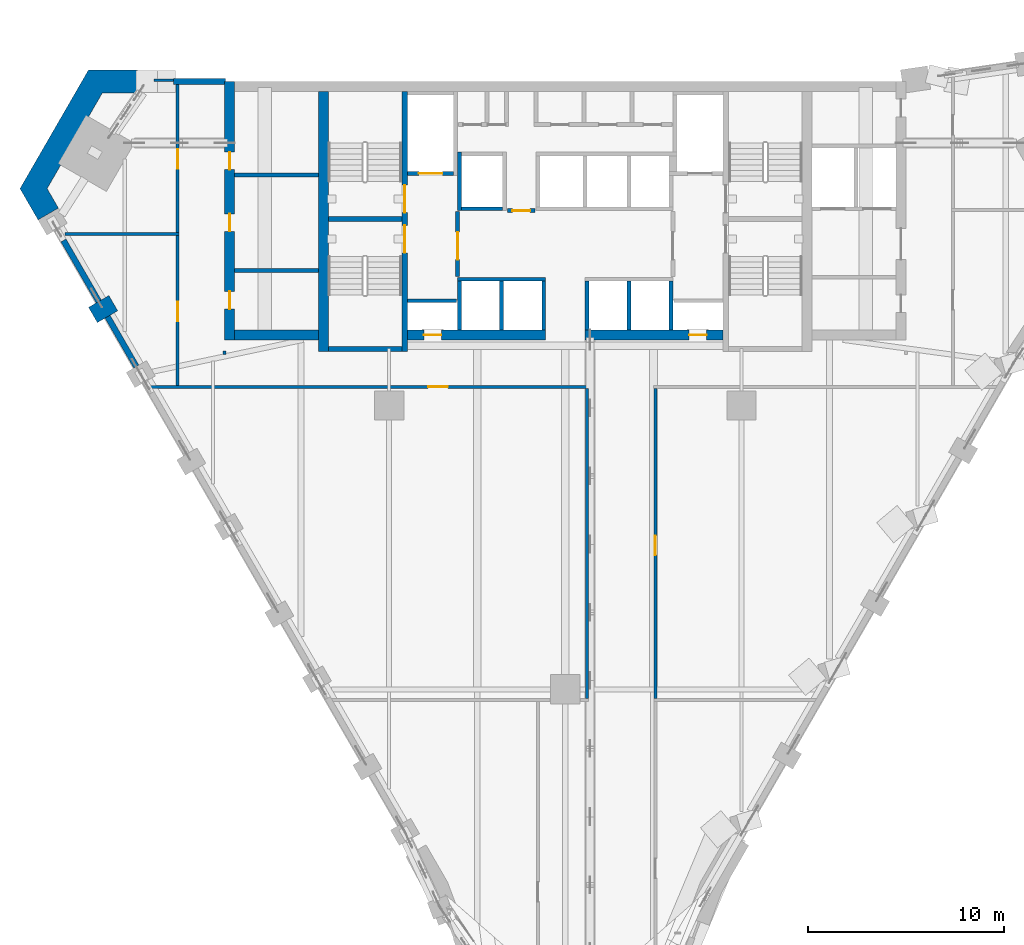
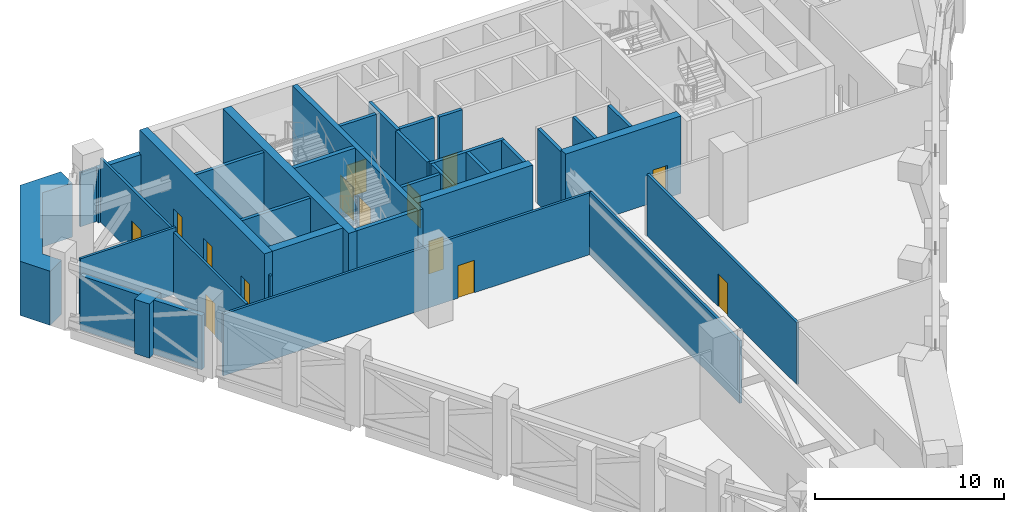
# One storey, part 9 of 20: 36 walls, 14 doors, 14 openings.
"""IFC4 building model written with IfcOpenShell, lengths in metres."""

from ifc_helpers import new_model, si_unit, direction, frame, frame_2d, origin, place, context, subcontext, project, spatial, polyline, rectangle, outline, extrude, material, layer, layer_set, type_object, element, fill, save


model = new_model("IFC4")

# Units and contexts
model_context = context("Model", 3, precision=1e-05, world=origin(), true_north=direction((0.0, 1.0)))
body_context = subcontext(model_context, "Body", "Model", "MODEL_VIEW")
ifc_project = project(units=[si_unit("LENGTHUNIT", "METRE"), si_unit("AREAUNIT", "SQUARE_METRE"), si_unit("VOLUMEUNIT", "CUBIC_METRE"), si_unit("PLANEANGLEUNIT", "RADIAN"), si_unit("MASSUNIT", "GRAM", prefix="KILO")], contexts=[model_context])

# Site, building, storey
site_placement = place(None, origin())
site = spatial("IfcSite", under=ifc_project, at=site_placement, CompositionType="ELEMENT")
building_placement = place(site_placement, origin())
building = spatial("IfcBuilding", under=site, at=building_placement, Name="Calabash Gate Tower", CompositionType="ELEMENT")
storey_placement = place(building_placement, frame((0.0, 0.0, 139.60009765625)))
storey = spatial("IfcBuildingStorey", under=building, at=storey_placement, Name="L32", CompositionType="ELEMENT", Elevation=139.60009765625)

# Walls
ifc_material_1 = material(Name="Terracotta brick masonry, exposed face", Category="masonry")
ifc_layer_1 = layer(ifc_material_1, 1.199951171875)
ifc_layer_set_1 = layer_set([ifc_layer_1], Name="Brick end wall 1200")
wall_type_1 = type_object("IfcWallType", Name="Brick end wall 1200", PredefinedType="SOLIDWALL", material=ifc_layer_set_1)
wall_1_placement = place(storey_placement, frame((-24.12841796875, 7.126953125, 0.0), z_axis=(0.0, 0.0, 1.0), x_axis=(0.865955154139, 0.50012165622, 0.0)))
element("IfcWall", 1, at=wall_1_placement, inside=storey, type_object=wall_type_1, Name="Brick pier L32 SW0.1", PredefinedType="SOLIDWALL", context=body_context, shape_type="SweptSolid", body=[
    extrude(rectangle(XDim=1.199951171875, YDim=0.89990234375, at=frame_2d((0.60009765625, 0.0))), origin(), (0.0, 0.0, 1.0), 3.5),
])
wall_2_placement = place(storey_placement, origin())
element("IfcWall", 2, at=wall_2_placement, inside=storey, type_object=wall_type_1, Name="Brick end wall L32 7", PredefinedType="SOLIDWALL", context=body_context, shape_type="SweptSolid", body=[
    extrude(outline(polyline([(-21.846923828125, 18.45263671875), (-21.846923828125, 19.652587890625), (-24.350341796875, 19.652587890625), (-27.855224609375, 13.581787109375), (-26.9326171875, 11.983642578125), (-25.893310546875, 12.583740234375), (-25.564208984375, 12.013916015625), (-26.469482421875, 13.581787109375), (-23.657470703125, 18.45263671875), (-21.846923828125, 18.45263671875)])), origin(), (0.0, 0.0, 1.0), 3.5),
])
ifc_material_2 = material(Name="Gypsum board on steel studs, mineral wool", Category="steel")
ifc_layer_2 = layer(ifc_material_2, 0.199951171875)
ifc_layer_set_2 = layer_set([ifc_layer_2], Name="Core partition 200 gypsum board")
wall_type_2 = type_object("IfcWallType", Name="Core partition 200 gypsum board", PredefinedType="PARTITIONING", material=ifc_layer_set_2)
for number, where, z_axis, x_axis, name in (
    (3, (-16.89990234375, 9.402587890625, 0.0), (0.0, 0.0, 1.0), (1.0, 0.0, 0.0), "Core partition"),
    (4, (-16.89990234375, 14.28271484375, 0.0), (0.0, 0.0, 1.0), (1.0, 0.0, 0.0), "Core partition"),
):
    element("IfcWall", number, at=place(storey_placement, frame(where, z_axis=z_axis, x_axis=x_axis)), inside=storey, type_object=wall_type_2, Name=name, PredefinedType="PARTITIONING", context=body_context, shape_type="SweptSolid", body=[
        extrude(rectangle(XDim=4.2998046875, YDim=0.199951171875, at=frame_2d((2.14990234375, 0.0))), origin(), (0.0, 0.0, 1.0), 4.829833984375),
    ])
ifc_material_3 = material(Name="Concrete C80/95", Category="concrete")
ifc_layer_3 = layer(ifc_material_3, 0.25)
ifc_layer_set_3 = layer_set([ifc_layer_3], Name="Core wall 250 Concrete C80/95")
wall_type_3 = type_object("IfcWallType", Name="Core wall 250 Concrete C80/95", PredefinedType="SHEAR", material=ifc_layer_set_3)
for number, where, z_axis, x_axis, name in (
    (5, (-12.10009765625, 12.027587890625, 0.0), (0.0, 0.0, 1.0), (1.0, 0.0, 0.0), "Core wall Z2-MIDW L32"),
    (6, (-12.10009765625, 5.377685546875, 0.0), (0.0, 0.0, 1.0), (1.0, 0.0, 0.0), "Core wall Z2-SSW L32"),
):
    element("IfcWall", number, at=place(storey_placement, frame(where, z_axis=z_axis, x_axis=x_axis)), inside=storey, type_object=wall_type_3, Name=name, PredefinedType="SHEAR", context=body_context, shape_type="SweptSolid", body=[
        extrude(rectangle(XDim=3.75, YDim=0.25, at=frame_2d((1.875, 0.0))), origin(), (0.0, 0.0, 1.0), 5.0),
    ])

# Wall, openings, doors
ifc_material_4 = material(Name="Concrete C80/95", Category="concrete")
ifc_layer_4 = layer(ifc_material_4, 0.300048828125)
ifc_layer_set_4 = layer_set([ifc_layer_4], Name="Core wall 300 Concrete C80/95")
wall_type_4 = type_object("IfcWallType", Name="Core wall 300 Concrete C80/95", PredefinedType="SHEAR", material=ifc_layer_set_4)
wall_3_placement = place(storey_placement, frame((-8.199951171875, 5.252685546875, 0.0), z_axis=(0.0, 0.0, 1.0), x_axis=(0.0, 1.0, 0.0)))
wall_3 = element("IfcWall", 7, at=wall_3_placement, inside=storey, type_object=wall_type_4, Name="Core wall Z2-PARTW L32", PredefinedType="SHEAR", context=body_context, shape_type="SweptSolid", body=[
    extrude(rectangle(XDim=13.2998046875, YDim=0.300048828125, at=frame_2d((6.64990234375, 0.0))), origin(), (0.0, 0.0, 1.0), 5.0),
])
opening_1_placement = place(wall_3_placement, frame((7.10009765625, 0.0, 0.0)))
opening_1 = element("IfcOpeningElement", 8, at=opening_1_placement, cuts=wall_3, Name="Opening L32-001", PredefinedType="OPENING", context=body_context, shape_type="SweptSolid", body=[
    extrude(rectangle(XDim=1.39990234375, YDim=2.10009765625, at=frame_2d((0.699951171875, 1.050048828125))), frame((0.0, 0.159912109375, 0.0), z_axis=(0.0, -1.0, 0.0), x_axis=(1.0, 0.0, 0.0)), (0.0, 0.0, 1.0), 0.320068359375),
])
opening_2_placement = place(wall_3_placement, frame((5.050048828125, 0.0, 0.0)))
opening_2 = element("IfcOpeningElement", 9, at=opening_2_placement, cuts=wall_3, Name="Opening L32-002", PredefinedType="OPENING", context=body_context, shape_type="SweptSolid", body=[
    extrude(rectangle(XDim=1.39990234375, YDim=2.10009765625, at=frame_2d((0.699951171875, 1.050048828125))), frame((0.0, 0.159912109375, 0.0), z_axis=(0.0, -1.0, 0.0), x_axis=(1.0, 0.0, 0.0)), (0.0, 0.0, 1.0), 0.320068359375),
])
ifc_material_5 = material(Name="Steel fire door set with fire-resisting glazing", Category="steel")
door_type_1 = type_object("IfcDoorType", Name="Fire door D05 1400x2100 FD90", OperationType="NOTDEFINED", PredefinedType="DOOR", material=ifc_material_5)
door_1_placement = place(opening_1_placement, origin())
door_1 = element("IfcDoor", 10, at=door_1_placement, inside=storey, type_object=door_type_1, Name="Exit stair door ST1", OperationType="SINGLE_SWING_LEFT", OverallHeight=2.10009765625, OverallWidth=1.39990234375, PredefinedType="DOOR", context=body_context, shape_type="SweptSolid", body=[
    extrude(rectangle(XDim=1.39990234375, YDim=2.10009765625, at=frame_2d((0.699951171875, 1.050048828125))), frame((0.0, 0.02490234375, 0.0), z_axis=(0.0, -1.0, 0.0), x_axis=(1.0, 0.0, 0.0)), (0.0, 0.0, 1.0), 0.050048828125),
])
fill(opening_1, door_1)
door_2_placement = place(opening_2_placement, origin())
door_2 = element("IfcDoor", 11, at=door_2_placement, inside=storey, type_object=door_type_1, Name="Exit stair door ST2", OperationType="SINGLE_SWING_LEFT", OverallHeight=2.10009765625, OverallWidth=1.39990234375, PredefinedType="DOOR", context=body_context, shape_type="SweptSolid", body=[
    extrude(rectangle(XDim=1.39990234375, YDim=2.10009765625, at=frame_2d((0.699951171875, 1.050048828125))), frame((0.0, 0.02490234375, 0.0), z_axis=(0.0, -1.0, 0.0), x_axis=(1.0, 0.0, 0.0)), (0.0, 0.0, 1.0), 0.050048828125),
])
fill(opening_2, door_2)

# Wall
ifc_material_6 = material(Name="Concrete C80/95", Category="concrete")
ifc_layer_5 = layer(ifc_material_6, 0.5)
ifc_layer_set_5 = layer_set([ifc_layer_5], Name="Core wall 500 Concrete C80/95")
wall_type_5 = type_object("IfcWallType", Name="Core wall 500 Concrete C80/95", PredefinedType="SHEAR", material=ifc_layer_set_5)
wall_4_placement = place(storey_placement, frame((-12.35009765625, 5.252685546875, 0.0), z_axis=(0.0, 0.0, 1.0), x_axis=(0.0, 1.0, 0.0)))
element("IfcWall", 12, at=wall_4_placement, inside=storey, type_object=wall_type_5, Name="Core wall Z2-COLW L32", PredefinedType="SHEAR", context=body_context, shape_type="SweptSolid", body=[
    extrude(rectangle(XDim=13.2998046875, YDim=0.5, at=frame_2d((6.64990234375, 0.0))), origin(), (0.0, 0.0, 1.0), 5.0),
])

# Wall, opening, door
wall_5_placement = place(storey_placement, frame((-8.050048828125, 6.1025390625, 0.0), z_axis=(0.0, 0.0, 1.0), x_axis=(1.0, 0.0, 0.0)))
wall_5 = element("IfcWall", 13, at=wall_5_placement, inside=storey, type_object=wall_type_5, Name="Core wall Z2-SA L32", PredefinedType="SHEAR", context=body_context, shape_type="SweptSolid", body=[
    extrude(rectangle(XDim=7.050048828125, YDim=0.5, at=frame_2d((3.52490234375, 0.0))), origin(), (0.0, 0.0, 1.0), 5.0),
])
opening_3_placement = place(wall_5_placement, frame((0.824951171875, 0.0, 0.0)))
opening_3 = element("IfcOpeningElement", 14, at=opening_3_placement, cuts=wall_5, Name="Opening L32-013", PredefinedType="OPENING", context=body_context, shape_type="SweptSolid", body=[
    extrude(rectangle(XDim=0.89990234375, YDim=2.10009765625, at=frame_2d((0.449951171875, 1.050048828125))), frame((0.0, 0.260009765625, 0.0), z_axis=(0.0, -1.0, 0.0), x_axis=(1.0, 0.0, 0.0)), (0.0, 0.0, 1.0), 0.52001953125),
])
ifc_material_7 = material(Name="Steel fire door set with fire-resisting glazing", Category="steel")
door_type_2 = type_object("IfcDoorType", Name="Fire door D07 900x2100 FD90", OperationType="NOTDEFINED", PredefinedType="DOOR", material=ifc_material_7)
door_3_placement = place(opening_3_placement, origin())
door_3 = element("IfcDoor", 15, at=door_3_placement, inside=storey, type_object=door_type_2, Name="Electrical Riser W door", OperationType="SINGLE_SWING_LEFT", OverallHeight=2.10009765625, OverallWidth=0.89990234375, PredefinedType="DOOR", context=body_context, shape_type="SweptSolid", body=[
    extrude(rectangle(XDim=0.89990234375, YDim=2.10009765625, at=frame_2d((0.449951171875, 1.050048828125))), frame((0.0, 0.02490234375, 0.0), z_axis=(0.0, -1.0, 0.0), x_axis=(1.0, 0.0, 0.0)), (0.0, 0.0, 1.0), 0.050048828125),
])
fill(opening_3, door_3)

wall_6_placement = place(storey_placement, frame((1.0, 6.1025390625, 0.0), z_axis=(0.0, 0.0, 1.0), x_axis=(1.0, 0.0, 0.0)))
wall_6 = element("IfcWall", 16, at=wall_6_placement, inside=storey, type_object=wall_type_5, Name="Core wall Z2-SB L32", PredefinedType="SHEAR", context=body_context, shape_type="SweptSolid", body=[
    extrude(rectangle(XDim=7.050048828125, YDim=0.5, at=frame_2d((3.52490234375, 0.0))), origin(), (0.0, 0.0, 1.0), 5.0),
])
opening_4_placement = place(wall_6_placement, frame((5.324951171875, 0.0, 0.0)))
opening_4 = element("IfcOpeningElement", 17, at=opening_4_placement, cuts=wall_6, Name="Opening L32-014", PredefinedType="OPENING", context=body_context, shape_type="SweptSolid", body=[
    extrude(rectangle(XDim=0.89990234375, YDim=2.10009765625, at=frame_2d((0.449951171875, 1.050048828125))), frame((0.0, 0.260009765625, 0.0), z_axis=(0.0, -1.0, 0.0), x_axis=(1.0, 0.0, 0.0)), (0.0, 0.0, 1.0), 0.52001953125),
])
door_4_placement = place(opening_4_placement, origin())
door_4 = element("IfcDoor", 18, at=door_4_placement, inside=storey, type_object=door_type_2, Name="Mechanical Riser E door", OperationType="SINGLE_SWING_RIGHT", OverallHeight=2.10009765625, OverallWidth=0.89990234375, PredefinedType="DOOR", context=body_context, shape_type="SweptSolid", body=[
    extrude(rectangle(XDim=0.89990234375, YDim=2.10009765625, at=frame_2d((0.449951171875, 1.050048828125))), frame((0.0, 0.02490234375, 0.0), z_axis=(0.0, -1.0, 0.0), x_axis=(1.0, 0.0, 0.0)), (0.0, 0.0, 1.0), 0.050048828125),
])
fill(opening_4, door_4)

# Wall
wall_7_placement = place(storey_placement, frame((-12.60009765625, 6.1025390625, 0.0), z_axis=(0.0, 0.0, 1.0), x_axis=(-1.0, 0.0, 0.0)))
element("IfcWall", 19, at=wall_7_placement, inside=storey, type_object=wall_type_5, Name="Core wall Z2-SW L32", PredefinedType="SHEAR", context=body_context, shape_type="SweptSolid", body=[
    extrude(rectangle(XDim=4.2998046875, YDim=0.5, at=frame_2d((2.14990234375, 0.0))), origin(), (0.0, 0.0, 1.0), 5.0),
])

# Wall, openings, doors
wall_8_placement = place(storey_placement, frame((-17.14990234375, 5.8525390625, 0.0), z_axis=(0.0, 0.0, 1.0), x_axis=(0.0, 1.0, 0.0)))
wall_8 = element("IfcWall", 20, at=wall_8_placement, inside=storey, type_object=wall_type_5, Name="Core wall Z2-ENDW L32", PredefinedType="SHEAR", context=body_context, shape_type="SweptSolid", body=[
    extrude(rectangle(XDim=13.199951171875, YDim=0.5, at=frame_2d((6.60009765625, 0.0))), origin(), (0.0, 0.0, 1.0), 5.0),
])
opening_5_placement = place(wall_8_placement, frame((1.574951171875, 0.0, 0.0)))
opening_5 = element("IfcOpeningElement", 21, at=opening_5_placement, cuts=wall_8, Name="Opening L32-015", PredefinedType="OPENING", context=body_context, shape_type="SweptSolid", body=[
    extrude(rectangle(XDim=0.89990234375, YDim=2.10009765625, at=frame_2d((0.449951171875, 1.050048828125))), frame((0.0, 0.260009765625, 0.0), z_axis=(0.0, -1.0, 0.0), x_axis=(1.0, 0.0, 0.0)), (0.0, 0.0, 1.0), 0.52001953125),
])
opening_6_placement = place(wall_8_placement, frame((5.5400390625, 0.0, 0.0)))
opening_6 = element("IfcOpeningElement", 22, at=opening_6_placement, cuts=wall_8, Name="Opening L32-016", PredefinedType="OPENING", context=body_context, shape_type="SweptSolid", body=[
    extrude(rectangle(XDim=0.89990234375, YDim=2.10009765625, at=frame_2d((0.449951171875, 1.050048828125))), frame((0.0, 0.260009765625, 0.0), z_axis=(0.0, -1.0, 0.0), x_axis=(1.0, 0.0, 0.0)), (0.0, 0.0, 1.0), 0.52001953125),
])
opening_7_placement = place(wall_8_placement, frame((8.697509765625, 0.0, 0.0)))
opening_7 = element("IfcOpeningElement", 23, at=opening_7_placement, cuts=wall_8, Name="Opening L32-017", PredefinedType="OPENING", context=body_context, shape_type="SweptSolid", body=[
    extrude(rectangle(XDim=0.89990234375, YDim=2.10009765625, at=frame_2d((0.449951171875, 1.050048828125))), frame((0.0, 0.260009765625, 0.0), z_axis=(0.0, -1.0, 0.0), x_axis=(1.0, 0.0, 0.0)), (0.0, 0.0, 1.0), 0.52001953125),
])
ifc_material_8 = material(Name="Steel fire door set with fire-resisting glazing", Category="steel")
door_type_3 = type_object("IfcDoorType", Name="Fire door D06 900x2100 FD60", OperationType="NOTDEFINED", PredefinedType="DOOR", material=ifc_material_8)
door_5_placement = place(opening_5_placement, origin())
door_5 = element("IfcDoor", 24, at=door_5_placement, inside=storey, type_object=door_type_3, Name="HV Transformer Room door", OperationType="SINGLE_SWING_LEFT", OverallHeight=2.10009765625, OverallWidth=0.89990234375, PredefinedType="DOOR", context=body_context, shape_type="SweptSolid", body=[
    extrude(rectangle(XDim=0.89990234375, YDim=2.10009765625, at=frame_2d((0.449951171875, 1.050048828125))), frame((0.0, 0.02490234375, 0.0), z_axis=(0.0, -1.0, 0.0), x_axis=(1.0, 0.0, 0.0)), (0.0, 0.0, 1.0), 0.050048828125),
])
fill(opening_5, door_5)
door_6_placement = place(opening_6_placement, origin())
door_6 = element("IfcDoor", 25, at=door_6_placement, inside=storey, type_object=door_type_3, Name="Chilled Water Plant door", OperationType="SINGLE_SWING_LEFT", OverallHeight=2.10009765625, OverallWidth=0.89990234375, PredefinedType="DOOR", context=body_context, shape_type="SweptSolid", body=[
    extrude(rectangle(XDim=0.89990234375, YDim=2.10009765625, at=frame_2d((0.449951171875, 1.050048828125))), frame((0.0, 0.02490234375, 0.0), z_axis=(0.0, -1.0, 0.0), x_axis=(1.0, 0.0, 0.0)), (0.0, 0.0, 1.0), 0.050048828125),
])
fill(opening_6, door_6)
door_7_placement = place(opening_7_placement, origin())
door_7 = element("IfcDoor", 26, at=door_7_placement, inside=storey, type_object=door_type_3, Name="Mechanical Pump Room door", OperationType="SINGLE_SWING_LEFT", OverallHeight=2.10009765625, OverallWidth=0.89990234375, PredefinedType="DOOR", context=body_context, shape_type="SweptSolid", body=[
    extrude(rectangle(XDim=0.89990234375, YDim=2.10009765625, at=frame_2d((0.449951171875, 1.050048828125))), frame((0.0, 0.02490234375, 0.0), z_axis=(0.0, -1.0, 0.0), x_axis=(1.0, 0.0, 0.0)), (0.0, 0.0, 1.0), 0.050048828125),
])
fill(opening_7, door_7)

# Wall
ifc_material_9 = material(Name="Gypsum board on steel studs, mineral wool", Category="steel")
ifc_layer_6 = layer(ifc_material_9, 0.14990234375)
ifc_layer_set_6 = layer_set([ifc_layer_6], Name="Partition 150 gypsum board")
wall_type_6 = type_object("IfcWallType", Name="Partition 150 gypsum board", PredefinedType="PARTITIONING", material=ifc_layer_set_6)
wall_9_placement = place(storey_placement, frame((1.10009765625, -12.472412109375, 0.0), z_axis=(0.0, 0.0, 1.0), x_axis=(0.0, 1.0, 0.0)))
element("IfcWall", 27, at=wall_9_placement, inside=storey, type_object=wall_type_6, Name="Partition", PredefinedType="PARTITIONING", context=body_context, shape_type="SweptSolid", body=[
    extrude(rectangle(XDim=15.85009765625, YDim=0.14990234375, at=frame_2d((7.925048828125, 0.0))), origin(), (0.0, 0.0, 1.0), 4.050048828125),
])

# Wall, opening, door
wall_10_placement = place(storey_placement, frame((4.60009765625, -12.472412109375, 0.0), z_axis=(0.0, 0.0, 1.0), x_axis=(0.0, 1.0, 0.0)))
wall_10 = element("IfcWall", 28, at=wall_10_placement, inside=storey, type_object=wall_type_6, Name="Partition", PredefinedType="PARTITIONING", context=body_context, shape_type="SweptSolid", body=[
    extrude(rectangle(XDim=15.85009765625, YDim=0.14990234375, at=frame_2d((7.925048828125, 0.0))), origin(), (0.0, 0.0, 1.0), 3.98388671875),
])
opening_8_placement = place(wall_10_placement, frame((7.324951171875, 0.0, 0.0)))
opening_8 = element("IfcOpeningElement", 29, at=opening_8_placement, cuts=wall_10, Name="Opening L32-027", PredefinedType="OPENING", context=body_context, shape_type="SweptSolid", body=[
    extrude(rectangle(XDim=1.0, YDim=2.10009765625, at=frame_2d((0.5, 1.050048828125))), frame((0.0, 0.0849609375, 0.0), z_axis=(0.0, -1.0, 0.0), x_axis=(1.0, 0.0, 0.0)), (0.0, 0.0, 1.0), 0.169921875),
])
ifc_material_10 = material(Name="Steel fire door set with fire-resisting glazing", Category="steel")
door_type_4 = type_object("IfcDoorType", Name="Fire door D12 1000x2100 FD90", OperationType="NOTDEFINED", PredefinedType="DOOR", material=ifc_material_10)
door_8_placement = place(opening_8_placement, origin())
door_8 = element("IfcDoor", 30, at=door_8_placement, inside=storey, type_object=door_type_4, Name="Refuge Area E door", OperationType="SINGLE_SWING_RIGHT", OverallHeight=2.10009765625, OverallWidth=1.0, PredefinedType="DOOR", context=body_context, shape_type="SweptSolid", body=[
    extrude(rectangle(XDim=1.0, YDim=2.10009765625, at=frame_2d((0.5, 1.050048828125))), frame((0.0, 0.02490234375, 0.0), z_axis=(0.0, -1.0, 0.0), x_axis=(1.0, 0.0, 0.0)), (0.0, 0.0, 1.0), 0.050048828125),
])
fill(opening_8, door_8)

wall_11_placement = place(storey_placement, frame((-21.334228515625, 3.45263671875, 0.0), z_axis=(0.0, 0.0, 1.0), x_axis=(1.0, 0.0, 0.0)))
wall_11 = element("IfcWall", 31, at=wall_11_placement, inside=storey, type_object=wall_type_6, Name="Partition", PredefinedType="PARTITIONING", context=body_context, shape_type="SweptSolid", body=[
    extrude(rectangle(XDim=22.539306640625, YDim=0.14990234375, at=frame_2d((11.26953125, 0.0))), origin(), (0.0, 0.0, 1.0), 3.98388671875),
])
opening_9_placement = place(wall_11_placement, frame((14.334228515625, 0.0, 0.0)))
opening_9 = element("IfcOpeningElement", 32, at=opening_9_placement, cuts=wall_11, Name="Opening L32-025", PredefinedType="OPENING", context=body_context, shape_type="SweptSolid", body=[
    extrude(rectangle(XDim=1.0, YDim=2.10009765625, at=frame_2d((0.5, 1.050048828125))), frame((0.0, 0.0849609375, 0.0), z_axis=(0.0, -1.0, 0.0), x_axis=(1.0, 0.0, 0.0)), (0.0, 0.0, 1.0), 0.169921875),
])
door_9_placement = place(opening_9_placement, origin())
door_9 = element("IfcDoor", 33, at=door_9_placement, inside=storey, type_object=door_type_4, Name="Refuge Area W door", OperationType="SINGLE_SWING_RIGHT", OverallHeight=2.10009765625, OverallWidth=1.0, PredefinedType="DOOR", context=body_context, shape_type="SweptSolid", body=[
    extrude(rectangle(XDim=1.0, YDim=2.10009765625, at=frame_2d((0.5, 1.050048828125))), frame((0.0, 0.02490234375, 0.0), z_axis=(0.0, -1.0, 0.0), x_axis=(1.0, 0.0, 0.0)), (0.0, 0.0, 1.0), 0.050048828125),
])
fill(opening_9, door_9)

wall_12_placement = place(storey_placement, frame((-19.800048828125, 3.527587890625, 0.0), z_axis=(0.0, 0.0, 1.0), x_axis=(0.0, 1.0, 0.0)))
wall_12 = element("IfcWall", 34, at=wall_12_placement, inside=storey, type_object=wall_type_6, Name="Partition", PredefinedType="PARTITIONING", context=body_context, shape_type="SweptSolid", body=[
    extrude(rectangle(XDim=7.64990234375, YDim=0.14990234375, at=frame_2d((3.824951171875, 0.0))), origin(), (0.0, 0.0, 1.0), 4.050048828125),
])
opening_10_placement = place(wall_12_placement, frame((3.27490234375, 0.0, 0.0)))
opening_10 = element("IfcOpeningElement", 35, at=opening_10_placement, cuts=wall_12, Name="Opening L32-022", PredefinedType="OPENING", context=body_context, shape_type="SweptSolid", body=[
    extrude(rectangle(XDim=1.0, YDim=2.10009765625, at=frame_2d((0.5, 1.050048828125))), frame((0.0, 0.0849609375, 0.0), z_axis=(0.0, -1.0, 0.0), x_axis=(1.0, 0.0, 0.0)), (0.0, 0.0, 1.0), 0.169921875),
])
ifc_material_11 = material(Name="Steel fire door set with fire-resisting glazing", Category="steel")
door_type_5 = type_object("IfcDoorType", Name="Fire door D11 1000x2100 FD60", OperationType="NOTDEFINED", PredefinedType="DOOR", material=ifc_material_11)
door_10_placement = place(opening_10_placement, origin())
door_10 = element("IfcDoor", 36, at=door_10_placement, inside=storey, type_object=door_type_5, Name="Pump Room door", OperationType="SINGLE_SWING_RIGHT", OverallHeight=2.10009765625, OverallWidth=1.0, PredefinedType="DOOR", context=body_context, shape_type="SweptSolid", body=[
    extrude(rectangle(XDim=1.0, YDim=2.10009765625, at=frame_2d((0.5, 1.050048828125))), frame((0.0, 0.02490234375, 0.0), z_axis=(0.0, -1.0, 0.0), x_axis=(1.0, 0.0, 0.0)), (0.0, 0.0, 1.0), 0.050048828125),
])
fill(opening_10, door_10)

# Walls
wall_13_placement = place(storey_placement, frame((-17.39990234375, 5.09765625, 0.0), z_axis=(0.0, 0.0, 1.0), x_axis=(0.0, 1.0, 0.0)))
element("IfcWall", 37, at=wall_13_placement, inside=storey, type_object=wall_type_6, Name="Partition", PredefinedType="PARTITIONING", context=body_context, shape_type="SweptSolid", body=[
    extrude(rectangle(XDim=0.179931640625, YDim=0.14990234375, at=frame_2d((0.08984375, 0.0))), origin(), (0.0, 0.0, 1.0), 4.050048828125),
])
wall_14_placement = place(storey_placement, frame((-25.546142578125, 11.252685546875, 0.0), z_axis=(0.0, 0.0, 1.0), x_axis=(1.0, 0.0, 0.0)))
element("IfcWall", 38, at=wall_14_placement, inside=storey, type_object=wall_type_6, Name="Partition", PredefinedType="PARTITIONING", context=body_context, shape_type="SweptSolid", body=[
    extrude(rectangle(XDim=5.821044921875, YDim=0.14990234375, at=frame_2d((2.91064453125, 0.0))), origin(), (0.0, 0.0, 1.0), 4.3017578125),
])

# Wall, opening, door
wall_15_placement = place(storey_placement, frame((-19.800048828125, 11.32763671875, 0.0), z_axis=(0.0, 0.0, 1.0), x_axis=(0.0, 1.0, 0.0)))
wall_15 = element("IfcWall", 39, at=wall_15_placement, inside=storey, type_object=wall_type_6, Name="Partition", PredefinedType="PARTITIONING", context=body_context, shape_type="SweptSolid", body=[
    extrude(rectangle(XDim=7.594970703125, YDim=0.14990234375, at=frame_2d((3.79736328125, 0.0))), origin(), (0.0, 0.0, 1.0), 4.1298828125),
])
opening_11_placement = place(wall_15_placement, frame((3.27490234375, 0.0, 0.0)))
opening_11 = element("IfcOpeningElement", 40, at=opening_11_placement, cuts=wall_15, Name="Opening L32-021", PredefinedType="OPENING", context=body_context, shape_type="SweptSolid", body=[
    extrude(rectangle(XDim=1.0, YDim=2.10009765625, at=frame_2d((0.5, 1.050048828125))), frame((0.0, 0.0849609375, 0.0), z_axis=(0.0, -1.0, 0.0), x_axis=(1.0, 0.0, 0.0)), (0.0, 0.0, 1.0), 0.169921875),
])
door_11_placement = place(opening_11_placement, origin())
door_11 = element("IfcDoor", 41, at=door_11_placement, inside=storey, type_object=door_type_5, Name="Air Handling Plant Room door", OperationType="SINGLE_SWING_LEFT", OverallHeight=2.10009765625, OverallWidth=1.0, PredefinedType="DOOR", context=body_context, shape_type="SweptSolid", body=[
    extrude(rectangle(XDim=1.0, YDim=2.10009765625, at=frame_2d((0.5, 1.050048828125))), frame((0.0, 0.02490234375, 0.0), z_axis=(0.0, -1.0, 0.0), x_axis=(1.0, 0.0, 0.0)), (0.0, 0.0, 1.0), 0.050048828125),
])
fill(opening_11, door_11)

# Walls
ifc_material_12 = material(Name="Concrete C40/50", Category="concrete")
ifc_layer_7 = layer(ifc_material_12, 0.199951171875)
ifc_layer_set_7 = layer_set([ifc_layer_7], Name="Shaft wall 200 Concrete C40/50")
wall_type_7 = type_object("IfcWallType", Name="Shaft wall 200 Concrete C40/50", PredefinedType="SOLIDWALL", material=ifc_layer_set_7)
for number, where, z_axis, x_axis, name in (
    (42, (-5.39990234375, 6.3525390625, 0.0), (0.0, 0.0, 1.0), (0.0, 1.0, 0.0), "Shaft wall"),
    (43, (-3.25, 6.3525390625, 0.0), (0.0, 0.0, 1.0), (0.0, 1.0, 0.0), "Shaft wall"),
    (44, (-1.10009765625, 6.3525390625, 0.0), (0.0, 0.0, 1.0), (0.0, 1.0, 0.0), "Shaft wall"),
    (45, (1.10009765625, 6.3525390625, 0.0), (0.0, 0.0, 1.0), (0.0, 1.0, 0.0), "Shaft wall"),
    (46, (3.25, 6.3525390625, 0.0), (0.0, 0.0, 1.0), (0.0, 1.0, 0.0), "Shaft wall"),
    (47, (5.39990234375, 6.3525390625, 0.0), (0.0, 0.0, 1.0), (0.0, 1.0, 0.0), "Shaft wall"),
    (48, (-8.050048828125, 7.8525390625, 0.0), (0.0, 0.0, 1.0), (1.0, 0.0, 0.0), "Shaft wall"),
):
    element("IfcWall", number, at=place(storey_placement, frame(where, z_axis=z_axis, x_axis=x_axis)), inside=storey, type_object=wall_type_7, Name=name, PredefinedType="SOLIDWALL", context=body_context, shape_type="SweptSolid", body=[
        extrude(rectangle(XDim=2.5, YDim=0.199951171875, at=frame_2d((1.25, 0.0))), origin(), (0.0, 0.0, 1.0), 4.829833984375),
    ])
wall_16_placement = place(storey_placement, frame((-5.5, 8.95263671875, 0.0), z_axis=(0.0, 0.0, 1.0), x_axis=(1.0, 0.0, 0.0)))
element("IfcWall", 49, at=wall_16_placement, inside=storey, type_object=wall_type_7, Name="Shaft wall", PredefinedType="SOLIDWALL", context=body_context, shape_type="SweptSolid", body=[
    extrude(rectangle(XDim=4.5, YDim=0.199951171875, at=frame_2d((2.25, 0.0))), origin(), (0.0, 0.0, 1.0), 4.829833984375),
])

# Wall, opening, door
wall_17_placement = place(storey_placement, frame((-5.5, 9.1025390625, 0.0), z_axis=(0.0, 0.0, 1.0), x_axis=(0.0, 1.0, 0.0)))
wall_17 = element("IfcWall", 50, at=wall_17_placement, inside=storey, type_object=wall_type_7, Name="Shaft wall", PredefinedType="SOLIDWALL", context=body_context, shape_type="SweptSolid", body=[
    extrude(rectangle(XDim=3.300048828125, YDim=0.199951171875, at=frame_2d((1.64990234375, 0.0))), origin(), (0.0, 0.0, 1.0), 4.829833984375),
])
opening_12_placement = place(wall_17_placement, frame((0.85009765625, 0.0, 0.0)))
opening_12 = element("IfcOpeningElement", 51, at=opening_12_placement, cuts=wall_17, Name="Opening L32-006", PredefinedType="OPENING", context=body_context, shape_type="SweptSolid", body=[
    extrude(rectangle(XDim=1.39990234375, YDim=2.10009765625, at=frame_2d((0.699951171875, 1.050048828125))), frame((0.0, 0.10986328125, 0.0), z_axis=(0.0, -1.0, 0.0), x_axis=(1.0, 0.0, 0.0)), (0.0, 0.0, 1.0), 0.219970703125),
])
door_12_placement = place(opening_12_placement, origin())
door_12 = element("IfcDoor", 52, at=door_12_placement, inside=storey, type_object=door_type_1, Name="Firefighting Lobby W door", OperationType="SINGLE_SWING_RIGHT", OverallHeight=2.10009765625, OverallWidth=1.39990234375, PredefinedType="DOOR", context=body_context, shape_type="SweptSolid", body=[
    extrude(rectangle(XDim=1.39990234375, YDim=2.10009765625, at=frame_2d((0.699951171875, 1.050048828125))), frame((0.0, 0.02490234375, 0.0), z_axis=(0.0, -1.0, 0.0), x_axis=(1.0, 0.0, 0.0)), (0.0, 0.0, 1.0), 0.050048828125),
])
fill(opening_12, door_12)

wall_18_placement = place(storey_placement, frame((-2.949951171875, 12.45263671875, 0.0), z_axis=(0.0, 0.0, 1.0), x_axis=(1.0, 0.0, 0.0)))
wall_18 = element("IfcWall", 53, at=wall_18_placement, inside=storey, type_object=wall_type_7, Name="Shaft wall", PredefinedType="SOLIDWALL", context=body_context, shape_type="SweptSolid", body=[
    extrude(rectangle(XDim=1.39990234375, YDim=0.199951171875, at=frame_2d((0.699951171875, 0.0))), origin(), (0.0, 0.0, 1.0), 4.829833984375),
])
opening_13_placement = place(wall_18_placement, frame((0.25, 0.0, 0.0)))
opening_13 = element("IfcOpeningElement", 54, at=opening_13_placement, cuts=wall_18, Name="Opening L32-005", PredefinedType="OPENING", context=body_context, shape_type="SweptSolid", body=[
    extrude(rectangle(XDim=0.89990234375, YDim=2.10009765625, at=frame_2d((0.449951171875, 1.050048828125))), frame((0.0, 0.10986328125, 0.0), z_axis=(0.0, -1.0, 0.0), x_axis=(1.0, 0.0, 0.0)), (0.0, 0.0, 1.0), 0.219970703125),
])
door_13_placement = place(opening_13_placement, origin())
door_13 = element("IfcDoor", 55, at=door_13_placement, inside=storey, type_object=door_type_3, Name="Service Corridor door", OperationType="SINGLE_SWING_RIGHT", OverallHeight=2.10009765625, OverallWidth=0.89990234375, PredefinedType="DOOR", context=body_context, shape_type="SweptSolid", body=[
    extrude(rectangle(XDim=0.89990234375, YDim=2.10009765625, at=frame_2d((0.449951171875, 1.050048828125))), frame((0.0, 0.02490234375, 0.0), z_axis=(0.0, -1.0, 0.0), x_axis=(1.0, 0.0, 0.0)), (0.0, 0.0, 1.0), 0.050048828125),
])
fill(opening_13, door_13)

# Walls
wall_19_placement = place(storey_placement, frame((-5.39990234375, 12.45263671875, 0.0), z_axis=(0.0, 0.0, 1.0), x_axis=(0.0, 1.0, 0.0)))
element("IfcWall", 56, at=wall_19_placement, inside=storey, type_object=wall_type_7, Name="Shaft wall", PredefinedType="SOLIDWALL", context=body_context, shape_type="SweptSolid", body=[
    extrude(rectangle(XDim=3.0, YDim=0.199951171875, at=frame_2d((1.5, 0.0))), origin(), (0.0, 0.0, 1.0), 4.829833984375),
])
wall_20_placement = place(storey_placement, frame((-5.300048828125, 12.552490234375, 0.0), z_axis=(0.0, 0.0, 1.0), x_axis=(1.0, 0.0, 0.0)))
element("IfcWall", 57, at=wall_20_placement, inside=storey, type_object=wall_type_7, Name="Shaft wall", PredefinedType="SOLIDWALL", context=body_context, shape_type="SweptSolid", body=[
    extrude(rectangle(XDim=2.10009765625, YDim=0.199951171875, at=frame_2d((1.050048828125, 0.0))), origin(), (0.0, 0.0, 1.0), 4.829833984375),
])

# Wall, opening, door
wall_21_placement = place(storey_placement, frame((-8.050048828125, 14.3525390625, 0.0), z_axis=(0.0, 0.0, 1.0), x_axis=(1.0, 0.0, 0.0)))
wall_21 = element("IfcWall", 58, at=wall_21_placement, inside=storey, type_object=wall_type_7, Name="Shaft wall", PredefinedType="SOLIDWALL", context=body_context, shape_type="SweptSolid", body=[
    extrude(rectangle(XDim=2.35009765625, YDim=0.199951171875, at=frame_2d((1.175048828125, 0.0))), origin(), (0.0, 0.0, 1.0), 4.829833984375),
])
opening_14_placement = place(wall_21_placement, frame((0.574951171875, 0.0, 0.0)))
opening_14 = element("IfcOpeningElement", 59, at=opening_14_placement, cuts=wall_21, Name="Opening LD-FF1", PredefinedType="OPENING", context=body_context, shape_type="SweptSolid", body=[
    extrude(rectangle(XDim=1.199951171875, YDim=2.10009765625, at=frame_2d((0.60009765625, 1.050048828125))), frame((0.0, 0.10986328125, 0.0), z_axis=(0.0, -1.0, 0.0), x_axis=(1.0, 0.0, 0.0)), (0.0, 0.0, 1.0), 0.219970703125),
])
ifc_material_13 = material(Name="Stainless steel sliding door leaves", Category="steel")
door_type_6 = type_object("IfcDoorType", Name="Lift landing door LS3 1200x2100 FD90", OperationType="DOUBLE_DOOR_SLIDING", PredefinedType="DOOR", material=ifc_material_13)
door_14_placement = place(opening_14_placement, origin())
door_14 = element("IfcDoor", 60, at=door_14_placement, inside=storey, type_object=door_type_6, Name="Lift landing door FF1", OperationType="DOUBLE_DOOR_SLIDING", OverallHeight=2.10009765625, OverallWidth=1.199951171875, PredefinedType="DOOR", context=body_context, shape_type="SweptSolid", body=[
    extrude(rectangle(XDim=1.199951171875, YDim=2.10009765625, at=frame_2d((0.60009765625, 1.050048828125))), frame((0.0, 0.02490234375, 0.0), z_axis=(0.0, -1.0, 0.0), x_axis=(1.0, 0.0, 0.0)), (0.0, 0.0, 1.0), 0.050048828125),
])
fill(opening_14, door_14)

# Walls
ifc_material_14 = material(Name="Terracotta brick masonry, perforated", Category="masonry")
ifc_layer_8 = layer(ifc_material_14, 0.1201171875)
ifc_layer_set_8 = layer_set([ifc_layer_8], Name="Terracotta jaali cladding A 120")
wall_type_8 = type_object("IfcWallType", Name="Terracotta jaali cladding A 120", PredefinedType="SOLIDWALL", material=ifc_layer_set_8)
wall_22_placement = place(storey_placement, frame((-21.010009765625, 19.112548828125, 0.0), z_axis=(0.0, 0.0, 1.0), x_axis=(1.0, 0.0, 0.0)))
element("IfcWall", 61, at=wall_22_placement, inside=storey, type_object=wall_type_8, Name="Jaali cladding L32 N8.c11", PredefinedType="SOLIDWALL", context=body_context, shape_type="SweptSolid", body=[
    extrude(rectangle(XDim=0.989990234375, YDim=0.1201171875, at=frame_2d((0.4951171875, 0.0))), origin(), (0.0, 0.0, 1.0), 3.5),
])
ifc_material_15 = material(Name="Terracotta louvre blades in an aluminium frame", Category="masonry")
ifc_layer_9 = layer(ifc_material_15, 0.300048828125)
ifc_layer_set_9 = layer_set([ifc_layer_9], Name="Terracotta louvre wall 300")
wall_type_9 = type_object("IfcWallType", Name="Terracotta louvre wall 300", PredefinedType="ELEMENTEDWALL", material=ifc_layer_set_9)
wall_23_placement = place(storey_placement, frame((-25.634033203125, 10.934326171875, 0.0), z_axis=(0.0, 0.0, 1.0), x_axis=(0.500012057535, -0.866018442252, 0.0)))
element("IfcWall", 62, at=wall_23_placement, inside=storey, type_object=wall_type_9, Name="LOUVRE L32 SW0.1", PredefinedType="ELEMENTEDWALL", context=body_context, shape_type="SweptSolid", body=[
    extrude(rectangle(XDim=3.60009765625, YDim=0.300048828125, at=frame_2d((1.800048828125, 0.0))), origin(), (0.0, 0.0, 1.0), 3.5),
])
wall_24_placement = place(storey_placement, origin())
element("IfcWall", 63, at=wall_24_placement, inside=storey, type_object=wall_type_9, Name="LOUVRE L32 SW0.2", PredefinedType="ELEMENTEDWALL", context=body_context, shape_type="SweptSolid", body=[
    extrude(outline(polyline([(-23.513916015625, 6.96240234375), (-22.04296875, 4.414794921875), (-21.783203125, 4.564697265625), (-23.25390625, 7.1123046875), (-23.513916015625, 6.96240234375)])), origin(), (0.0, 0.0, 1.0), 3.5),
])
wall_25_placement = place(storey_placement, origin())
element("IfcWall", 64, at=wall_25_placement, inside=storey, type_object=wall_type_9, Name="LOUVRE L32 N8.8", PredefinedType="ELEMENTEDWALL", context=body_context, shape_type="SweptSolid", body=[
    extrude(outline(polyline([(-17.346923828125, 19.052490234375), (-17.346923828125, 19.20263671875), (-20.0029296875, 19.20263671875), (-20.0029296875, 18.902587890625), (-17.39990234375, 18.902587890625), (-17.39990234375, 19.052490234375), (-17.346923828125, 19.052490234375)])), origin(), (0.0, 0.0, 1.0), 3.5),
])

save(model, "model.ifc")
